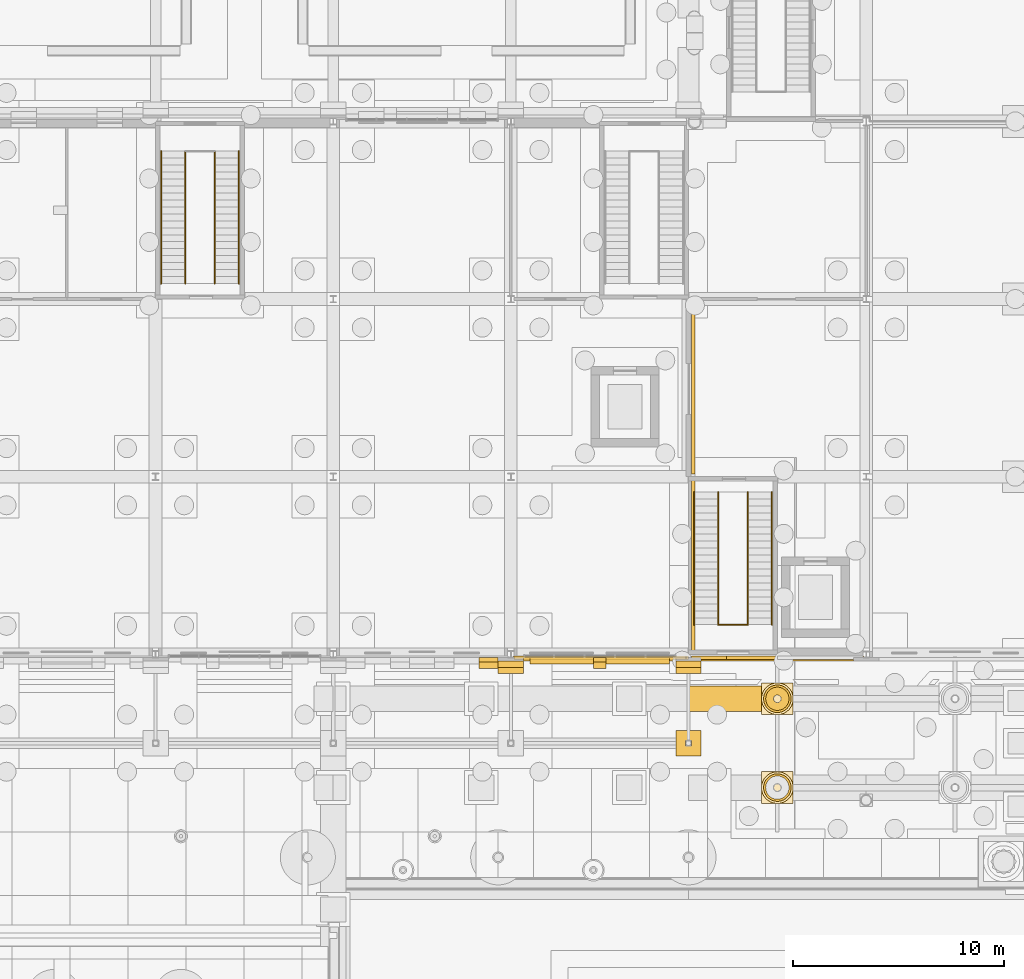
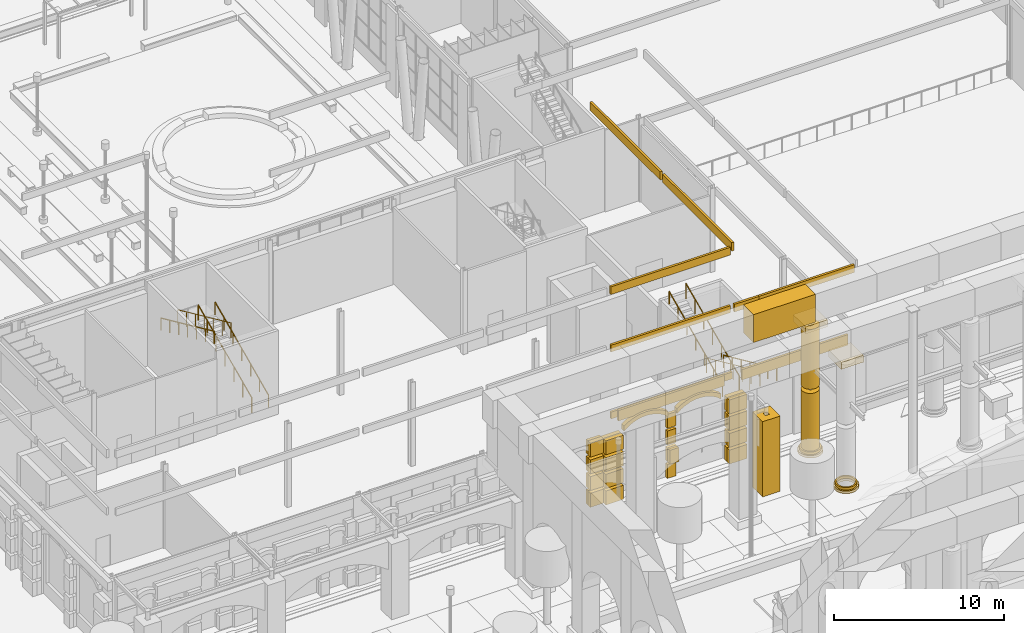
# One storey, part 119 of 222: 50 coverings, 9 railings.
"""IFC4 building model written with IfcOpenShell, lengths in metres."""

from ifc_helpers import new_model, si_unit, direction, frame, origin, origin_2d, place, context, subcontext, project, spatial, polyline, rectangle, hollow_rectangle, circle, hollow_circle, outline, extrude, material, layer, layer_set, material_profile, profile_set, type_object, element, save


model = new_model("IFC4")

# Units and contexts
model_context = context("Model", 3, precision=1e-05, world=origin(), true_north=direction((0.0, 1.0)))
body_context = subcontext(model_context, "Body", "Model", "MODEL_VIEW")
ifc_project = project(units=[si_unit("LENGTHUNIT", "METRE"), si_unit("AREAUNIT", "SQUARE_METRE"), si_unit("VOLUMEUNIT", "CUBIC_METRE"), si_unit("PLANEANGLEUNIT", "RADIAN"), si_unit("MASSUNIT", "GRAM", prefix="KILO")], contexts=[model_context])

# Site, building, storey
site_placement = place(None, origin())
site = spatial("IfcSite", under=ifc_project, at=site_placement, CompositionType="ELEMENT")
building_placement = place(site_placement, origin())
building = spatial("IfcBuilding", under=site, at=building_placement, Name="Sava Quay Ferry Terminal", CompositionType="ELEMENT")
storey_placement = place(building_placement, origin())
storey = spatial("IfcBuildingStorey", under=building, at=storey_placement, Name="L00", CompositionType="ELEMENT", Elevation=0.0)

# Coverings
ifc_material_1 = material(Name="Limestone Mutalj ashlar", Category="masonry")
ifc_material_profile_1 = material_profile(ifc_material_1, hollow_rectangle(XDim=1.199951171875, YDim=1.199951171875, WallThickness=0.462890625, at=origin_2d()), Name="Arcade pier 1200")
ifc_profile_set_1 = profile_set([ifc_material_profile_1], Name="Limestone Mutalj ashlar")
covering_type_1 = type_object("IfcCoveringType", Name="Arcade pier 1200", PredefinedType="CLADDING", material=ifc_profile_set_1)
covering_1_placement = place(storey_placement, frame((42.0, 21.0, 0.0), z_axis=(0.0, 0.0, 1.0), x_axis=(1.0, 0.0, 0.0)))
element("IfcCovering", 1, at=covering_1_placement, inside=storey, type_object=covering_type_1, Name="Arcade pier", PredefinedType="CLADDING", context=body_context, shape_type="SweptSolid", body=[
    extrude(hollow_rectangle(XDim=1.199951171875, YDim=1.199951171875, WallThickness=0.462890625, at=origin_2d()), origin(), (0.0, 0.0, 1.0), 5.39990234375),
])
ifc_material_2 = material(Name="Limestone Mutalj", Category="masonry")
ifc_layer_1 = layer(ifc_material_2, 0.300048828125)
ifc_layer_set_1 = layer_set([ifc_layer_1], Name="Limestone Mutalj")
covering_type_2 = type_object("IfcCoveringType", Name="Arch band 280", PredefinedType="MOLDING", material=ifc_layer_set_1)
covering_2_placement = place(storey_placement, frame((34.5, 24.739990234375, 4.5), z_axis=(0.0, -1.0, 0.0), x_axis=(0.782171011383, 0.0, 0.623063808091)))
element("IfcCovering", 2, at=covering_2_placement, inside=storey, type_object=covering_type_2, Name="Arch band", PredefinedType="MOLDING", context=body_context, shape_type="SweptSolid", body=[
    extrude(outline(polyline([(0.0, 0.0), (0.38361026394291897, 0.0), (0.7217380868167081, -0.05709695615317717), (1.0251448024033882, -0.15738965346254868), (1.2993842465178647, -0.29468969183758004), (1.5471556480034832, -0.4652167214188082), (1.768763237235288, -0.6685888227670815), (1.9639027838382344, -0.9051879153215514), (2.1294931395298256, -1.178490118566637), (2.2607443073734594, -1.4952922933429613), (2.3465130341479634, -1.8691914242724625), (2.5760548521189226, -1.5810332074325149), (2.4648828890282157, -1.2390243496721793), (2.318876547994931, -0.9407452676947119), (2.144615626614576, -0.6783277684654494), (1.9447605091984421, -0.4476484272178306), (1.7214796529038934, -0.24637688278489167), (1.475381518481019, -0.07374929628832916), (1.2058576451797298, 0.06947049339355327), (0.9111214952818136, 0.18064789471874781), (0.5877488455976752, 0.2562679436707819), (0.22954181797095916, 0.2881582168399477), (0.0, 0.0)])), origin(), (0.0, 0.0, -1.0), 0.300048828125),
])
covering_3_placement = place(storey_placement, frame((38.10009765625, 24.739990234375, 4.5), z_axis=(0.0, -1.0, 0.0), x_axis=(0.781923759715, 0.0, 0.623374072281)))
element("IfcCovering", 3, at=covering_3_placement, inside=storey, type_object=covering_type_2, Name="Arch band", PredefinedType="MOLDING", context=body_context, shape_type="SweptSolid", body=[
    extrude(outline(polyline([(0.0, 0.0), (0.3834193343979185, -2.7755575615628914e-17), (0.7215244784021893, -0.05723109819999722), (1.025082280021732, -0.15779635007562864), (1.2992672310674753, -0.2952051775433192), (1.5469709593161145, -0.4658304928504826), (1.7683069472834811, -0.6691383063507048), (1.963352611809143, -0.9058147986260157), (2.129025425761005, -1.1793348664933856), (2.2601508973281392, -1.4961890880363895), (2.3457712791462266, -1.8701222168437752), (2.575427400990079, -1.5820550895462773), (2.464391132924196, -1.2400021530905694), (2.3185031406023544, -0.9416651690212947), (2.144155443320406, -0.6790263644116832), (1.9443918597906626, -0.4482677521537497), (1.7213817715315254, -0.24705983156291944), (1.475352143574657, -0.07433462334636409), (1.2058851115329956, 0.06899208413870384), (0.9110021932435386, 0.1804385992720936), (0.5876595699939753, 0.25618693494582), (0.22965612184385228, 0.288067127297498), (0.0, 0.0)])), origin(), (0.0, 0.0, -1.0), 0.300048828125),
])
ifc_material_3 = material(Name="Limestone Mutalj ashlar", Category="masonry")
ifc_material_profile_2 = material_profile(ifc_material_3, hollow_circle(Radius=0.75, WallThickness=0.199951171875, at=origin_2d()), Name="Base plinth 1500")
ifc_profile_set_2 = profile_set([ifc_material_profile_2], Name="Limestone Mutalj ashlar")
covering_type_3 = type_object("IfcCoveringType", Name="Giant-order base plinth 1500", PredefinedType="CLADDING", material=ifc_profile_set_2)
for number, where, z_axis, x_axis, name in (
    (4, (46.199951171875, 18.89990234375, 0.0), (0.0, 0.0, 1.0), (1.0, 0.0, 0.0), "Giant-order base plinth"),
    (5, (46.199951171875, 23.10009765625, 0.0), (0.0, 0.0, 1.0), (1.0, 0.0, 0.0), "Giant-order base plinth"),
):
    element("IfcCovering", number, at=place(storey_placement, frame(where, z_axis=z_axis, x_axis=x_axis)), inside=storey, type_object=covering_type_3, Name=name, PredefinedType="CLADDING", context=body_context, shape_type="SweptSolid", body=[
        extrude(hollow_circle(Radius=0.75, WallThickness=0.199951171875, at=origin_2d()), origin(), (0.0, 0.0, 1.0), 0.179931640625),
    ])
ifc_material_4 = material(Name="Limestone Mutalj ashlar", Category="masonry")
ifc_material_profile_3 = material_profile(ifc_material_4, hollow_circle(Radius=0.64990234375, WallThickness=0.10009765625, at=origin_2d()), Name="Base roll 1300")
ifc_profile_set_3 = profile_set([ifc_material_profile_3], Name="Limestone Mutalj ashlar")
covering_type_4 = type_object("IfcCoveringType", Name="Giant-order base roll 1300", PredefinedType="CLADDING", material=ifc_profile_set_3)
for number, where, z_axis, x_axis, name in (
    (6, (46.199951171875, 18.89990234375, 0.179931640625), (0.0, 0.0, 1.0), (1.0, 0.0, 0.0), "Giant-order base roll"),
    (7, (46.199951171875, 23.10009765625, 0.179931640625), (0.0, 0.0, 1.0), (1.0, 0.0, 0.0), "Giant-order base roll"),
):
    element("IfcCovering", number, at=place(storey_placement, frame(where, z_axis=z_axis, x_axis=x_axis)), inside=storey, type_object=covering_type_4, Name=name, PredefinedType="CLADDING", context=body_context, shape_type="SweptSolid", body=[
        extrude(hollow_circle(Radius=0.64990234375, WallThickness=0.10009765625, at=origin_2d()), origin(), (0.0, 0.0, 1.0), 0.18017578125),
    ])
ifc_material_5 = material(Name="Limestone Mutalj", Category="masonry")
ifc_layer_2 = layer(ifc_material_5, 0.5)
ifc_layer_set_2 = layer_set([ifc_layer_2], Name="Limestone Mutalj")
covering_type_5 = type_object("IfcCoveringType", Name="Giant-order capital 1500", PredefinedType="CLADDING", material=ifc_layer_set_2)
for number, where, z_axis, x_axis, name in (
    (8, (46.199951171875, 18.89990234375, 9.10009765625), (0.0, 0.0, 1.0), (1.0, 0.0, 0.0), "Giant-order capital"),
    (9, (46.199951171875, 23.10009765625, 9.10009765625), (0.0, 0.0, 1.0), (1.0, 0.0, 0.0), "Giant-order capital"),
):
    element("IfcCovering", number, at=place(storey_placement, frame(where, z_axis=z_axis, x_axis=x_axis)), inside=storey, type_object=covering_type_5, Name=name, PredefinedType="CLADDING", context=body_context, shape_type="SweptSolid", body=[
        extrude(rectangle(XDim=1.5, YDim=1.5, at=origin_2d()), origin(), (0.0, 0.0, 1.0), 0.5),
    ])
ifc_material_6 = material(Name="Limestone Mutalj ashlar", Category="masonry")
ifc_material_profile_4 = material_profile(ifc_material_6, hollow_circle(Radius=0.550048828125, WallThickness=0.37158203125, at=origin_2d()), Name="Stone shaft D1100")
ifc_profile_set_4 = profile_set([ifc_material_profile_4], Name="Limestone Mutalj ashlar")
covering_type_6 = type_object("IfcCoveringType", Name="Giant-order stone shaft D1100", PredefinedType="CLADDING", material=ifc_profile_set_4)
covering_4_placement = place(storey_placement, frame((46.199951171875, 23.10009765625, 0.0), z_axis=(0.0, 0.0, 1.0), x_axis=(1.0, 0.0, 0.0)))
element("IfcCovering", 10, at=covering_4_placement, inside=storey, type_object=covering_type_6, Name="Giant-order column shaft", PredefinedType="CLADDING", context=body_context, shape_type="SweptSolid", body=[
    extrude(hollow_circle(Radius=0.550048828125, WallThickness=0.37158203125, at=origin_2d()), origin(), (0.0, 0.0, 1.0), 4.5),
])
covering_5_placement = place(storey_placement, frame((46.199951171875, 23.10009765625, 4.800048828125), z_axis=(0.0, 0.0, 1.0), x_axis=(1.0, 0.0, 0.0)))
element("IfcCovering", 11, at=covering_5_placement, inside=storey, type_object=covering_type_6, Name="Giant-order column shaft", PredefinedType="CLADDING", context=body_context, shape_type="SweptSolid", body=[
    extrude(hollow_circle(Radius=0.550048828125, WallThickness=0.37158203125, at=origin_2d()), origin(), (0.0, 0.0, 1.0), 4.300048828125),
])

# Railings
ifc_material_7 = material(Name="Steel S355", Category="steel")
railing_type_1 = type_object("IfcRailingType", Name="Guard 1100", PredefinedType="GUARDRAIL", material=ifc_material_7)
railing_1_placement = place(storey_placement, frame((44.800048828125, 32.8701171875, 0.14990234375)))
element("IfcRailing", 12, at=railing_1_placement, inside=storey, type_object=railing_type_1, Name="Guard at stair well ST-A1 L00", PredefinedType="GUARDRAIL", context=body_context, shape_type="SweptSolid", body=[
    extrude(circle(Radius=0.02392578125, at=origin_2d()), frame((0.0, 0.0, 1.076171875), z_axis=(0.0, -0.910361621584, 0.413813627068), x_axis=(1.0, 0.0, 0.0)), (0.0, 0.0, 1.0), 6.887451171875),
    extrude(circle(Radius=0.02099609375, at=origin_2d()), origin(), (0.0, 0.0, 1.0), 1.052001953125),
    extrude(circle(Radius=0.02099609375, at=origin_2d()), frame((0.0, -1.044921875, 0.47509765625)), (0.0, 0.0, 1.0), 1.052001953125),
    extrude(circle(Radius=0.02099609375, at=origin_2d()), frame((0.0, -2.090087890625, 0.949951171875)), (0.0, 0.0, 1.0), 1.052001953125),
    extrude(circle(Radius=0.02099609375, at=origin_2d()), frame((0.0, -3.135009765625, 1.425048828125)), (0.0, 0.0, 1.0), 1.052001953125),
    extrude(circle(Radius=0.02099609375, at=origin_2d()), frame((0.0, -4.179931640625, 1.900146484375)), (0.0, 0.0, 1.0), 1.052001953125),
    extrude(circle(Radius=0.02099609375, at=origin_2d()), frame((0.0, -5.22509765625, 2.375)), (0.0, 0.0, 1.0), 1.052001953125),
    extrude(circle(Radius=0.02099609375, at=origin_2d()), frame((0.0, -6.27001953125, 2.85009765625)), (0.0, 0.0, 1.0), 1.052001953125),
])
railing_2_placement = place(storey_placement, frame((43.39990234375, 26.60009765625, 3.14990234375)))
element("IfcRailing", 13, at=railing_2_placement, inside=storey, type_object=railing_type_1, Name="Guard at stair well ST-A1 L00", PredefinedType="GUARDRAIL", context=body_context, shape_type="SweptSolid", body=[
    extrude(circle(Radius=0.02392578125, at=origin_2d()), frame((0.0, 0.0, 1.076171875), z_axis=(0.0, 0.910361621584, 0.413813627068), x_axis=(-1.0, 0.0, 0.0)), (0.0, 0.0, 1.0), 6.887451171875),
    extrude(circle(Radius=0.02099609375, at=origin_2d()), origin(), (0.0, 0.0, 1.0), 1.052001953125),
    extrude(circle(Radius=0.02099609375, at=origin_2d()), frame((0.0, 1.044921875, 0.47509765625)), (0.0, 0.0, 1.0), 1.052001953125),
    extrude(circle(Radius=0.02099609375, at=origin_2d()), frame((0.0, 2.090087890625, 0.949951171875)), (0.0, 0.0, 1.0), 1.052001953125),
    extrude(circle(Radius=0.02099609375, at=origin_2d()), frame((0.0, 3.135009765625, 1.425048828125)), (0.0, 0.0, 1.0), 1.052001953125),
    extrude(circle(Radius=0.02099609375, at=origin_2d()), frame((0.0, 4.179931640625, 1.900146484375)), (0.0, 0.0, 1.0), 1.052001953125),
    extrude(circle(Radius=0.02099609375, at=origin_2d()), frame((0.0, 5.22509765625, 2.375)), (0.0, 0.0, 1.0), 1.052001953125),
    extrude(circle(Radius=0.02099609375, at=origin_2d()), frame((0.0, 6.27001953125, 2.85009765625)), (0.0, 0.0, 1.0), 1.052001953125),
])
railing_3_placement = place(storey_placement, frame((43.39990234375, 26.60009765625, 3.0)))
element("IfcRailing", 14, at=railing_3_placement, inside=storey, type_object=railing_type_1, Name="Guard at half landing ST-A1 L00", PredefinedType="GUARDRAIL", context=body_context, shape_type="SweptSolid", body=[
    extrude(circle(Radius=0.02392578125, at=origin_2d()), frame((0.0, 0.0, 1.076171875), z_axis=(1.0, 0.0, 0.0), x_axis=(0.0, 1.0, 0.0)), (0.0, 0.0, 1.0), 1.400146484375),
    extrude(circle(Radius=0.02099609375, at=origin_2d()), origin(), (0.0, 0.0, 1.0), 1.052001953125),
    extrude(circle(Radius=0.02099609375, at=origin_2d()), frame((0.7001953125, 0.0, 0.0)), (0.0, 0.0, 1.0), 1.052001953125),
    extrude(circle(Radius=0.02099609375, at=origin_2d()), frame((1.400146484375, 0.0, 0.0)), (0.0, 0.0, 1.0), 1.052001953125),
])
railing_4_placement = place(storey_placement, frame((19.60009765625, 42.72998046875, 0.14990234375)))
element("IfcRailing", 15, at=railing_4_placement, inside=storey, type_object=railing_type_1, Name="Guard at stair well ST-W3 L00", PredefinedType="GUARDRAIL", context=body_context, shape_type="SweptSolid", body=[
    extrude(circle(Radius=0.02392578125, at=origin_2d()), frame((0.0, 0.0, 1.076171875), z_axis=(0.0, 0.910361621584, 0.413813627068), x_axis=(-1.0, 0.0, 0.0)), (0.0, 0.0, 1.0), 6.887451171875),
    extrude(circle(Radius=0.02099609375, at=origin_2d()), origin(), (0.0, 0.0, 1.0), 1.052001953125),
    extrude(circle(Radius=0.02099609375, at=origin_2d()), frame((0.0, 1.044921875, 0.47509765625)), (0.0, 0.0, 1.0), 1.052001953125),
    extrude(circle(Radius=0.02099609375, at=origin_2d()), frame((0.0, 2.090087890625, 0.949951171875)), (0.0, 0.0, 1.0), 1.052001953125),
    extrude(circle(Radius=0.02099609375, at=origin_2d()), frame((0.0, 3.135009765625, 1.425048828125)), (0.0, 0.0, 1.0), 1.052001953125),
    extrude(circle(Radius=0.02099609375, at=origin_2d()), frame((0.0, 4.179931640625, 1.900146484375)), (0.0, 0.0, 1.0), 1.052001953125),
    extrude(circle(Radius=0.02099609375, at=origin_2d()), frame((0.0, 5.22509765625, 2.375)), (0.0, 0.0, 1.0), 1.052001953125),
    extrude(circle(Radius=0.02099609375, at=origin_2d()), frame((0.0, 6.27001953125, 2.85009765625)), (0.0, 0.0, 1.0), 1.052001953125),
])
railing_5_placement = place(storey_placement, frame((18.199951171875, 49.0, 3.14990234375)))
element("IfcRailing", 16, at=railing_5_placement, inside=storey, type_object=railing_type_1, Name="Guard at stair well ST-W3 L00", PredefinedType="GUARDRAIL", context=body_context, shape_type="SweptSolid", body=[
    extrude(circle(Radius=0.02392578125, at=origin_2d()), frame((0.0, 0.0, 1.076171875), z_axis=(0.0, -0.910361621584, 0.413813627068), x_axis=(1.0, 0.0, 0.0)), (0.0, 0.0, 1.0), 6.887451171875),
    extrude(circle(Radius=0.02099609375, at=origin_2d()), origin(), (0.0, 0.0, 1.0), 1.052001953125),
    extrude(circle(Radius=0.02099609375, at=origin_2d()), frame((0.0, -1.044921875, 0.47509765625)), (0.0, 0.0, 1.0), 1.052001953125),
    extrude(circle(Radius=0.02099609375, at=origin_2d()), frame((0.0, -2.090087890625, 0.949951171875)), (0.0, 0.0, 1.0), 1.052001953125),
    extrude(circle(Radius=0.02099609375, at=origin_2d()), frame((0.0, -3.135009765625, 1.425048828125)), (0.0, 0.0, 1.0), 1.052001953125),
    extrude(circle(Radius=0.02099609375, at=origin_2d()), frame((0.0, -4.179931640625, 1.900146484375)), (0.0, 0.0, 1.0), 1.052001953125),
    extrude(circle(Radius=0.02099609375, at=origin_2d()), frame((0.0, -5.22509765625, 2.375)), (0.0, 0.0, 1.0), 1.052001953125),
    extrude(circle(Radius=0.02099609375, at=origin_2d()), frame((0.0, -6.27001953125, 2.85009765625)), (0.0, 0.0, 1.0), 1.052001953125),
])

# Coverings
ifc_material_8 = material(Name="Limestone Mutalj", Category="masonry")
ifc_layer_3 = layer(ifc_material_8, 0.14990234375)
ifc_layer_set_3 = layer_set([ifc_layer_3], Name="Limestone Mutalj")
covering_type_7 = type_object("IfcCoveringType", Name="Limestone string course 150", PredefinedType="CLADDING", material=ifc_layer_set_3)
covering_6_placement = place(storey_placement, frame((0.0, 0.0, 5.25)))
element("IfcCovering", 17, at=covering_6_placement, inside=storey, type_object=covering_type_7, Name="String course W-S", PredefinedType="CLADDING", context=body_context, shape_type="SweptSolid", body=[
    extrude(outline(polyline([(34.199951171875, 25.0400390625), (41.39990234375, 25.0400390625), (41.39990234375, 24.889892578125), (34.199951171875, 24.889892578125), (34.199951171875, 25.0400390625)])), origin(), (0.0, 0.0, 1.0), 0.75),
])
covering_7_placement = place(storey_placement, frame((0.0, 0.0, 5.25)))
element("IfcCovering", 18, at=covering_7_placement, inside=storey, type_object=covering_type_7, Name="String course W-S", PredefinedType="CLADDING", context=body_context, shape_type="SweptSolid", body=[
    extrude(outline(polyline([(42.60009765625, 25.0400390625), (49.800048828125, 25.0400390625), (49.800048828125, 24.889892578125), (42.60009765625, 24.889892578125), (42.60009765625, 25.0400390625)])), origin(), (0.0, 0.0, 1.0), 0.75),
])
ifc_material_9 = material(Name="Limestone Mutalj", Category="masonry")
ifc_layer_4 = layer(ifc_material_9, 2.0)
ifc_layer_set_4 = layer_set([ifc_layer_4], Name="Limestone Mutalj")
covering_type_8 = type_object("IfcCoveringType", Name="Portico entablature 2000", PredefinedType="CLADDING", material=ifc_layer_set_4)
covering_8_placement = place(storey_placement, frame((44.10009765625, 23.10009765625, 9.60009765625), z_axis=(0.0, 0.0, 1.0), x_axis=(1.0, 0.0, 0.0)))
element("IfcCovering", 19, at=covering_8_placement, inside=storey, type_object=covering_type_8, Name="Portico entablature", PredefinedType="CLADDING", context=body_context, shape_type="SweptSolid", body=[
    extrude(rectangle(XDim=4.199951171875, YDim=1.199951171875, at=origin_2d()), origin(), (0.0, 0.0, 1.0), 2.0),
])
ifc_material_10 = material(Name="Limestone Mutalj", Category="masonry")
ifc_layer_5 = layer(ifc_material_10, 0.300048828125)
ifc_layer_set_5 = layer_set([ifc_layer_5], Name="Limestone Mutalj")
covering_type_9 = type_object("IfcCoveringType", Name="Rusticated course deepening 300", PredefinedType="CLADDING", material=ifc_layer_set_5)
for number, where, z_axis, x_axis, name in (
    (20, (33.60009765625, 24.43994140625, 0.0), (0.0, 0.0, 1.0), (1.0, 0.0, 0.0), "Rusticated course deepening"),
    (21, (33.60009765625, 24.43994140625, 1.199951171875), (0.0, 0.0, 1.0), (1.0, 0.0, 0.0), "Rusticated course deepening"),
    (22, (33.60009765625, 24.43994140625, 2.39990234375), (0.0, 0.0, 1.0), (1.0, 0.0, 0.0), "Rusticated course deepening"),
    (23, (33.60009765625, 24.43994140625, 3.60009765625), (0.0, 0.0, 1.0), (1.0, 0.0, 0.0), "Rusticated course deepening"),
    (24, (42.0, 24.43994140625, 0.0), (0.0, 0.0, 1.0), (1.0, 0.0, 0.0), "Rusticated course deepening"),
    (25, (42.0, 24.43994140625, 1.199951171875), (0.0, 0.0, 1.0), (1.0, 0.0, 0.0), "Rusticated course deepening"),
    (26, (42.0, 24.43994140625, 2.39990234375), (0.0, 0.0, 1.0), (1.0, 0.0, 0.0), "Rusticated course deepening"),
    (27, (42.0, 24.43994140625, 3.60009765625), (0.0, 0.0, 1.0), (1.0, 0.0, 0.0), "Rusticated course deepening"),
):
    element("IfcCovering", number, at=place(storey_placement, frame(where, z_axis=z_axis, x_axis=x_axis)), inside=storey, type_object=covering_type_9, Name=name, PredefinedType="CLADDING", context=body_context, shape_type="SweptSolid", body=[
        extrude(rectangle(XDim=1.199951171875, YDim=0.300048828125, at=origin_2d()), origin(), (0.0, 0.0, 1.0), 1.0),
    ])
for number, where, z_axis, x_axis, name in (
    (28, (32.550048828125, 24.68994140625, 0.0), (0.0, 0.0, 1.0), (1.0, 0.0, 0.0), "Rusticated course deepening"),
    (29, (32.550048828125, 24.68994140625, 1.199951171875), (0.0, 0.0, 1.0), (1.0, 0.0, 0.0), "Rusticated course deepening"),
    (30, (32.550048828125, 24.68994140625, 2.39990234375), (0.0, 0.0, 1.0), (1.0, 0.0, 0.0), "Rusticated course deepening"),
    (31, (32.550048828125, 24.68994140625, 3.60009765625), (0.0, 0.0, 1.0), (1.0, 0.0, 0.0), "Rusticated course deepening"),
):
    element("IfcCovering", number, at=place(storey_placement, frame(where, z_axis=z_axis, x_axis=x_axis)), inside=storey, type_object=covering_type_9, Name=name, PredefinedType="CLADDING", context=body_context, shape_type="SweptSolid", body=[
        extrude(rectangle(XDim=0.89990234375, YDim=0.300048828125, at=origin_2d()), origin(), (0.0, 0.0, 1.0), 1.0),
    ])
covering_9_placement = place(storey_placement, frame((37.800048828125, 24.68994140625, 1.199951171875), z_axis=(0.0, 0.0, 1.0), x_axis=(1.0, 0.0, 0.0)))
element("IfcCovering", 32, at=covering_9_placement, inside=storey, type_object=covering_type_9, Name="Rusticated course deepening", PredefinedType="CLADDING", context=body_context, shape_type="SweptSolid", body=[
    extrude(rectangle(XDim=0.60009765625, YDim=0.300048828125, at=origin_2d()), origin(), (0.0, 0.0, 1.0), 1.0),
])
ifc_material_11 = material(Name="Limestone Mutalj", Category="masonry")
ifc_layer_6 = layer(ifc_material_11, 0.300048828125)
ifc_layer_set_6 = layer_set([ifc_layer_6], Name="Limestone Mutalj")
covering_type_10 = type_object("IfcCoveringType", Name="Rusticated pier course 300", PredefinedType="CLADDING", material=ifc_layer_set_6)
for number, where, z_axis, x_axis, name in (
    (33, (33.60009765625, 24.739990234375, 0.0), (0.0, 0.0, 1.0), (1.0, 0.0, 0.0), "Rusticated pier course"),
    (34, (33.60009765625, 24.739990234375, 1.199951171875), (0.0, 0.0, 1.0), (1.0, 0.0, 0.0), "Rusticated pier course"),
    (35, (33.60009765625, 24.739990234375, 2.39990234375), (0.0, 0.0, 1.0), (1.0, 0.0, 0.0), "Rusticated pier course"),
    (36, (33.60009765625, 24.739990234375, 3.60009765625), (0.0, 0.0, 1.0), (1.0, 0.0, 0.0), "Rusticated pier course"),
    (37, (42.0, 24.739990234375, 0.0), (0.0, 0.0, 1.0), (1.0, 0.0, 0.0), "Rusticated pier course"),
    (38, (42.0, 24.739990234375, 1.199951171875), (0.0, 0.0, 1.0), (1.0, 0.0, 0.0), "Rusticated pier course"),
    (39, (42.0, 24.739990234375, 2.39990234375), (0.0, 0.0, 1.0), (1.0, 0.0, 0.0), "Rusticated pier course"),
    (40, (42.0, 24.739990234375, 3.60009765625), (0.0, 0.0, 1.0), (1.0, 0.0, 0.0), "Rusticated pier course"),
):
    element("IfcCovering", number, at=place(storey_placement, frame(where, z_axis=z_axis, x_axis=x_axis)), inside=storey, type_object=covering_type_10, Name=name, PredefinedType="CLADDING", context=body_context, shape_type="SweptSolid", body=[
        extrude(rectangle(XDim=1.199951171875, YDim=0.300048828125, at=origin_2d()), origin(), (0.0, 0.0, 1.0), 1.0),
    ])
ifc_material_12 = material(Name="Limestone Mutalj", Category="masonry")
ifc_layer_7 = layer(ifc_material_12, 0.199951171875)
ifc_layer_set_7 = layer_set([ifc_layer_7], Name="Limestone Mutalj")
covering_type_11 = type_object("IfcCoveringType", Name="Rusticated wall course 200", PredefinedType="CLADDING", material=ifc_layer_set_7)
for number, where, z_axis, x_axis, name in (
    (41, (32.550048828125, 24.93994140625, 0.0), (0.0, 0.0, 1.0), (1.0, 0.0, 0.0), "Rusticated wall course"),
    (42, (32.550048828125, 24.93994140625, 1.199951171875), (0.0, 0.0, 1.0), (1.0, 0.0, 0.0), "Rusticated wall course"),
    (43, (32.550048828125, 24.93994140625, 2.39990234375), (0.0, 0.0, 1.0), (1.0, 0.0, 0.0), "Rusticated wall course"),
    (44, (32.550048828125, 24.93994140625, 3.60009765625), (0.0, 0.0, 1.0), (1.0, 0.0, 0.0), "Rusticated wall course"),
):
    element("IfcCovering", number, at=place(storey_placement, frame(where, z_axis=z_axis, x_axis=x_axis)), inside=storey, type_object=covering_type_11, Name=name, PredefinedType="CLADDING", context=body_context, shape_type="SweptSolid", body=[
        extrude(rectangle(XDim=0.89990234375, YDim=0.199951171875, at=origin_2d()), origin(), (0.0, 0.0, 1.0), 1.0),
    ])
for number, where, z_axis, x_axis, name in (
    (45, (37.800048828125, 24.93994140625, 0.0), (0.0, 0.0, 1.0), (1.0, 0.0, 0.0), "Rusticated wall course"),
    (46, (37.800048828125, 24.93994140625, 1.199951171875), (0.0, 0.0, 1.0), (1.0, 0.0, 0.0), "Rusticated wall course"),
    (47, (37.800048828125, 24.93994140625, 2.39990234375), (0.0, 0.0, 1.0), (1.0, 0.0, 0.0), "Rusticated wall course"),
    (48, (37.800048828125, 24.93994140625, 3.60009765625), (0.0, 0.0, 1.0), (1.0, 0.0, 0.0), "Rusticated wall course"),
):
    element("IfcCovering", number, at=place(storey_placement, frame(where, z_axis=z_axis, x_axis=x_axis)), inside=storey, type_object=covering_type_11, Name=name, PredefinedType="CLADDING", context=body_context, shape_type="SweptSolid", body=[
        extrude(rectangle(XDim=0.60009765625, YDim=0.199951171875, at=origin_2d()), origin(), (0.0, 0.0, 1.0), 1.0),
    ])
ifc_material_13 = material(Name="Limestone Mutalj", Category="masonry")
ifc_layer_8 = layer(ifc_material_13, 0.14990234375)
ifc_layer_set_8 = layer_set([ifc_layer_8], Name="Limestone Mutalj")
covering_type_12 = type_object("IfcCoveringType", Name="Slab edge fascia 150", PredefinedType="CLADDING", material=ifc_layer_set_8)
covering_10_placement = place(storey_placement, frame((0.0, 0.0, 5.510009765625)))
element("IfcCovering", 49, at=covering_10_placement, inside=storey, type_object=covering_type_12, Name="Slab edge fascia", PredefinedType="CLADDING", context=body_context, shape_type="SweptSolid", body=[
    extrude(outline(polyline([(42.0, 25.116943359375), (33.75, 25.116943359375), (33.75, 24.967041015625), (42.0, 24.967041015625), (42.0, 25.116943359375)])), origin(), (0.0, 0.0, 1.0), 0.489990234375),
])
covering_11_placement = place(storey_placement, frame((0.0, 0.0, 10.31005859375)))
element("IfcCovering", 50, at=covering_11_placement, inside=storey, type_object=covering_type_12, Name="Slab edge fascia", PredefinedType="CLADDING", context=body_context, shape_type="SweptSolid", body=[
    extrude(outline(polyline([(41.8701171875, 25.116943359375), (33.75, 25.116943359375), (33.75, 24.967041015625), (41.8701171875, 24.967041015625), (41.8701171875, 25.116943359375)])), origin(), (0.0, 0.0, 1.0), 0.489990234375),
])
covering_12_placement = place(storey_placement, frame((0.0, 0.0, 10.25)))
element("IfcCovering", 51, at=covering_12_placement, inside=storey, type_object=covering_type_12, Name="Slab edge fascia", PredefinedType="CLADDING", context=body_context, shape_type="SweptSolid", body=[
    extrude(outline(polyline([(43.800048828125, 25.112060546875), (42.1298828125, 25.112060546875), (42.1298828125, 24.9619140625), (43.800048828125, 24.9619140625), (43.800048828125, 25.112060546875)])), origin(), (0.0, 0.0, 1.0), 0.550048828125),
])
covering_13_placement = place(storey_placement, frame((0.0, 0.0, 10.25)))
element("IfcCovering", 52, at=covering_13_placement, inside=storey, type_object=covering_type_12, Name="Slab edge fascia", PredefinedType="CLADDING", context=body_context, shape_type="SweptSolid", body=[
    extrude(outline(polyline([(50.27001953125, 25.112060546875), (43.800048828125, 25.112060546875), (43.800048828125, 24.9619140625), (50.27001953125, 24.9619140625), (50.27001953125, 25.112060546875)])), origin(), (0.0, 0.0, 1.0), 0.550048828125),
])
covering_14_placement = place(storey_placement, frame((0.0, 0.0, 14.39990234375)))
element("IfcCovering", 53, at=covering_14_placement, inside=storey, type_object=covering_type_12, Name="Slab edge fascia", PredefinedType="CLADDING", context=body_context, shape_type="SweptSolid", body=[
    extrude(outline(polyline([(42.14794921875, 33.469970703125), (42.14794921875, 25.330078125), (42.298095703125, 25.330078125), (42.298095703125, 33.469970703125), (42.14794921875, 33.469970703125)])), origin(), (0.0, 0.0, 1.0), 0.60009765625),
])
covering_15_placement = place(storey_placement, frame((0.0, 0.0, 14.39990234375)))
element("IfcCovering", 54, at=covering_15_placement, inside=storey, type_object=covering_type_12, Name="Slab edge fascia", PredefinedType="CLADDING", context=body_context, shape_type="SweptSolid", body=[
    extrude(outline(polyline([(42.14794921875, 42.0), (42.14794921875, 33.72998046875), (42.298095703125, 33.72998046875), (42.298095703125, 42.0), (42.14794921875, 42.0)])), origin(), (0.0, 0.0, 1.0), 0.60009765625),
])
covering_16_placement = place(storey_placement, frame((0.0, 0.0, 14.449951171875)))
element("IfcCovering", 55, at=covering_16_placement, inside=storey, type_object=covering_type_12, Name="Slab edge fascia", PredefinedType="CLADDING", context=body_context, shape_type="SweptSolid", body=[
    extrude(outline(polyline([(41.8701171875, 25.112060546875), (33.72998046875, 25.112060546875), (33.72998046875, 24.9619140625), (41.8701171875, 24.9619140625), (41.8701171875, 25.112060546875)])), origin(), (0.0, 0.0, 1.0), 0.550048828125),
])

# Railings
ifc_material_14 = material(Name="Steel S355", Category="steel")
railing_type_2 = type_object("IfcRailingType", Name="Stair handrail 900", PredefinedType="HANDRAIL", material=ifc_material_14)
railing_6_placement = place(storey_placement, frame((45.93994140625, 32.8701171875, 0.14990234375)))
element("IfcRailing", 56, at=railing_6_placement, inside=storey, type_object=railing_type_2, Name="Handrail ST-A1 L00", PredefinedType="HANDRAIL", context=body_context, shape_type="SweptSolid", body=[
    extrude(circle(Radius=0.02392578125, at=origin_2d()), frame((0.0, 0.0, 0.8759765625), z_axis=(0.0, -0.910361621584, 0.413813627068), x_axis=(1.0, 0.0, 0.0)), (0.0, 0.0, 1.0), 6.887451171875),
    extrude(circle(Radius=0.02099609375, at=origin_2d()), origin(), (0.0, 0.0, 1.0), 0.851806640625),
    extrude(circle(Radius=0.02099609375, at=origin_2d()), frame((0.0, -1.044921875, 0.47509765625)), (0.0, 0.0, 1.0), 0.851806640625),
    extrude(circle(Radius=0.02099609375, at=origin_2d()), frame((0.0, -2.090087890625, 0.949951171875)), (0.0, 0.0, 1.0), 0.851806640625),
    extrude(circle(Radius=0.02099609375, at=origin_2d()), frame((0.0, -3.135009765625, 1.425048828125)), (0.0, 0.0, 1.0), 0.851806640625),
    extrude(circle(Radius=0.02099609375, at=origin_2d()), frame((0.0, -4.179931640625, 1.900146484375)), (0.0, 0.0, 1.0), 0.851806640625),
    extrude(circle(Radius=0.02099609375, at=origin_2d()), frame((0.0, -5.22509765625, 2.375)), (0.0, 0.0, 1.0), 0.851806640625),
    extrude(circle(Radius=0.02099609375, at=origin_2d()), frame((0.0, -6.27001953125, 2.85009765625)), (0.0, 0.0, 1.0), 0.851806640625),
])
for number, where, name in (
    (57, (42.260009765625, 26.60009765625, 3.14990234375), "Handrail ST-A1 L00"),
    (58, (20.739990234375, 42.72998046875, 0.14990234375), "Handrail ST-W3 L00"),
):
    element("IfcRailing", number, at=place(storey_placement, frame(where)), inside=storey, type_object=railing_type_2, Name=name, PredefinedType="HANDRAIL", context=body_context, shape_type="SweptSolid", body=[
        extrude(circle(Radius=0.02392578125, at=origin_2d()), frame((0.0, 0.0, 0.8759765625), z_axis=(0.0, 0.910361621584, 0.413813627068), x_axis=(-1.0, 0.0, 0.0)), (0.0, 0.0, 1.0), 6.887451171875),
        extrude(circle(Radius=0.02099609375, at=origin_2d()), origin(), (0.0, 0.0, 1.0), 0.851806640625),
        extrude(circle(Radius=0.02099609375, at=origin_2d()), frame((0.0, 1.044921875, 0.47509765625)), (0.0, 0.0, 1.0), 0.851806640625),
        extrude(circle(Radius=0.02099609375, at=origin_2d()), frame((0.0, 2.090087890625, 0.949951171875)), (0.0, 0.0, 1.0), 0.851806640625),
        extrude(circle(Radius=0.02099609375, at=origin_2d()), frame((0.0, 3.135009765625, 1.425048828125)), (0.0, 0.0, 1.0), 0.851806640625),
        extrude(circle(Radius=0.02099609375, at=origin_2d()), frame((0.0, 4.179931640625, 1.900146484375)), (0.0, 0.0, 1.0), 0.851806640625),
        extrude(circle(Radius=0.02099609375, at=origin_2d()), frame((0.0, 5.22509765625, 2.375)), (0.0, 0.0, 1.0), 0.851806640625),
        extrude(circle(Radius=0.02099609375, at=origin_2d()), frame((0.0, 6.27001953125, 2.85009765625)), (0.0, 0.0, 1.0), 0.851806640625),
    ])
railing_7_placement = place(storey_placement, frame((17.06005859375, 49.0, 3.14990234375)))
element("IfcRailing", 59, at=railing_7_placement, inside=storey, type_object=railing_type_2, Name="Handrail ST-W3 L00", PredefinedType="HANDRAIL", context=body_context, shape_type="SweptSolid", body=[
    extrude(circle(Radius=0.02392578125, at=origin_2d()), frame((0.0, 0.0, 0.8759765625), z_axis=(0.0, -0.910361621584, 0.413813627068), x_axis=(1.0, 0.0, 0.0)), (0.0, 0.0, 1.0), 6.887451171875),
    extrude(circle(Radius=0.02099609375, at=origin_2d()), origin(), (0.0, 0.0, 1.0), 0.851806640625),
    extrude(circle(Radius=0.02099609375, at=origin_2d()), frame((0.0, -1.044921875, 0.47509765625)), (0.0, 0.0, 1.0), 0.851806640625),
    extrude(circle(Radius=0.02099609375, at=origin_2d()), frame((0.0, -2.090087890625, 0.949951171875)), (0.0, 0.0, 1.0), 0.851806640625),
    extrude(circle(Radius=0.02099609375, at=origin_2d()), frame((0.0, -3.135009765625, 1.425048828125)), (0.0, 0.0, 1.0), 0.851806640625),
    extrude(circle(Radius=0.02099609375, at=origin_2d()), frame((0.0, -4.179931640625, 1.900146484375)), (0.0, 0.0, 1.0), 0.851806640625),
    extrude(circle(Radius=0.02099609375, at=origin_2d()), frame((0.0, -5.22509765625, 2.375)), (0.0, 0.0, 1.0), 0.851806640625),
    extrude(circle(Radius=0.02099609375, at=origin_2d()), frame((0.0, -6.27001953125, 2.85009765625)), (0.0, 0.0, 1.0), 0.851806640625),
])

save(model, "model.ifc")
